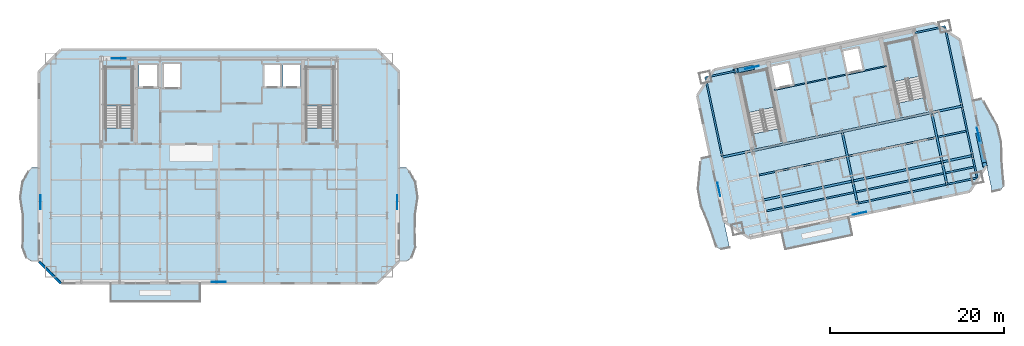
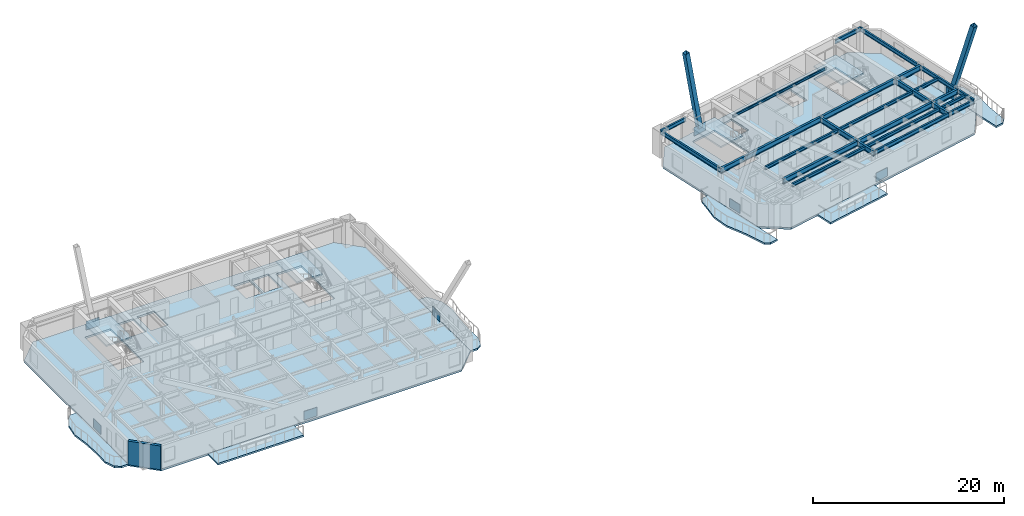
# One storey, part 4 of 13: 26 beams, 12 slabs, 8 plates, 2 members, 1 wall, 4 elements without a shape of their own.
"""IFC4 building model written with IfcOpenShell, lengths in metres."""

import ifcopenshell
import ifcopenshell.guid

model = None  # the IFC model being written
_history = None  # IfcOwnerHistory: only IFC2X3 demands one
_inside = {}  # id of a spatial element -> (the spatial element, [elements in it])
_under = {}  # id of a project, library or spatial element -> (it, [spatial elements below it])
_declared = {}  # id of a project -> (the project, [libraries it declares])
_typed = {}  # id of a type object -> (the type object, [elements of that type])
_made_of = {}  # id of a material, layer set ... -> (it, [elements and type objects made of it])


def new_model(schema):
    """Start an empty IFC model of exactly this schema.

    Asked for "IFC4X3", IfcOpenShell would pick the latest addendum, in which some entities
    have other attributes; the version numbers below select the first issue.
    IFC2X3 requires an IfcOwnerHistory on every rooted entity: one is made here for all.
    """
    global model, _history
    if schema == "IFC4X3":
        model = ifcopenshell.file(schema_version=(4, 3, 0, 0))
    else:
        model = ifcopenshell.file(schema=schema)
    _inside.clear()
    _under.clear()
    _declared.clear()
    _typed.clear()
    _made_of.clear()
    _history = None
    if model.schema == "IFC2X3":
        org = make("IfcOrganization", Name="unknown")
        user = make(
            "IfcPersonAndOrganization",
            ThePerson=make("IfcPerson", FamilyName="unknown"),
            TheOrganization=org,
        )
        app = make(
            "IfcApplication",
            ApplicationDeveloper=org,
            Version="unknown",
            ApplicationFullName="unknown",
            ApplicationIdentifier="unknown",
        )
        _history = make(
            "IfcOwnerHistory",
            OwningUser=user,
            OwningApplication=app,
            ChangeAction="ADDED",
            CreationDate=0,
        )
    return model


def make(cls, **values):
    """One entity of the class cls with the attributes given. An attribute that is None is left unset."""
    return model.create_entity(
        cls, **{name: value for name, value in values.items() if value is not None}
    )


def rooted(cls, **values):
    """An entity with a GlobalId (a new one), such as an element, a storey or a relation."""
    return make(cls, GlobalId=ifcopenshell.guid.new(), OwnerHistory=_history, **values)


def si_unit(unit_type, name, prefix=None):
    """IfcSIUnit, for example si_unit("LENGTHUNIT", "METRE", prefix="MILLI")."""
    return make("IfcSIUnit", UnitType=unit_type, Prefix=prefix, Name=name)


def assignment(units):
    """IfcUnitAssignment: the units of a project."""
    return None if units is None else make("IfcUnitAssignment", Units=units)


def point(xyz):
    """IfcCartesianPoint."""
    return None if xyz is None else make("IfcCartesianPoint", Coordinates=xyz)


def direction(xyz):
    """IfcDirection."""
    return None if xyz is None else make("IfcDirection", DirectionRatios=xyz)


def frame(location, z_axis=None, x_axis=None):
    """IfcAxis2Placement3D, a coordinate frame: its origin and axes. An axis left out is left unset."""
    return make(
        "IfcAxis2Placement3D",
        Location=point(location),
        Axis=direction(z_axis),
        RefDirection=direction(x_axis),
    )


def frame_2d(location, x_axis=None):
    """IfcAxis2Placement2D, a coordinate frame in the plane: its origin and x axis."""
    return make(
        "IfcAxis2Placement2D", Location=point(location), RefDirection=direction(x_axis)
    )


def origin():
    """The frame at (0, 0, 0) with its axes left unset."""
    return frame((0.0, 0.0, 0.0))


def origin_2d():
    """The frame at (0, 0) in the plane with its x axis left unset."""
    return frame_2d((0.0, 0.0))


def place(relative_to, where):
    """IfcLocalPlacement: puts the frame where relative to a parent placement (None: the world)."""
    return make(
        "IfcLocalPlacement", PlacementRelTo=relative_to, RelativePlacement=where
    )


def context(
    kind, dimensions, precision=None, world=None, true_north=None, identifier=None
):
    """IfcGeometricRepresentationContext, for example the 3D "Model" context."""
    return make(
        "IfcGeometricRepresentationContext",
        ContextIdentifier=identifier,
        ContextType=kind,
        CoordinateSpaceDimension=dimensions,
        Precision=precision,
        WorldCoordinateSystem=world,
        TrueNorth=true_north,
    )


def subcontext(parent, identifier, kind, view, scale=None):
    """IfcGeometricRepresentationSubContext, for example "Body" below "Model"."""
    return make(
        "IfcGeometricRepresentationSubContext",
        ContextIdentifier=identifier,
        ContextType=kind,
        ParentContext=parent,
        TargetScale=scale,
        TargetView=view,
    )


def project(units=None, contexts=None):
    """IfcProject with its units and contexts."""
    return rooted(
        "IfcProject",
        Name="project",
        RepresentationContexts=contexts,
        UnitsInContext=assignment(units),
    )


def spatial(cls, under=None, at=None, **own):
    """A site, building, storey or space (cls), placed at a placement, below another one or the project."""
    s = rooted(cls, ObjectPlacement=at, **own)
    if under is not None:
        _under.setdefault(under.id(), (under, []))[1].append(s)
    return s


def polyline(points):
    """IfcPolyline through the points."""
    return make("IfcPolyline", Points=[point(p) for p in points])


def profile(cls, at=None, kind="AREA", **sizes):
    """A parametric profile (cls). Its sizes go by their IFC names, for example OverallWidth=200.0."""
    return make(cls, ProfileType=kind, Position=at, **sizes)


def rectangle(**sizes):
    """IfcRectangleProfileDef."""
    return profile("IfcRectangleProfileDef", **sizes)


def hollow_rectangle(**sizes):
    """IfcRectangleHollowProfileDef."""
    return profile("IfcRectangleHollowProfileDef", **sizes)


def i_section(**sizes):
    """IfcIShapeProfileDef."""
    return profile("IfcIShapeProfileDef", **sizes)


def outline(outer, holes=None, kind="AREA"):
    """IfcArbitraryClosedProfileDef: a profile drawn as a closed curve; with holes, ...WithVoids."""
    if holes is None:
        return make("IfcArbitraryClosedProfileDef", ProfileType=kind, OuterCurve=outer)
    return make(
        "IfcArbitraryProfileDefWithVoids",
        ProfileType=kind,
        OuterCurve=outer,
        InnerCurves=holes,
    )


def extrude(swept, where, along, depth):
    """IfcExtrudedAreaSolid: the profile swept, set in the frame where, extruded along a direction by depth."""
    return make(
        "IfcExtrudedAreaSolid",
        SweptArea=swept,
        Position=where,
        ExtrudedDirection=direction(along),
        Depth=depth,
    )


def shape(context_of_items, identifier, shape_type, items):
    """IfcShapeRepresentation: the items that make up one representation, for example the "Body"."""
    return make(
        "IfcShapeRepresentation",
        ContextOfItems=context_of_items,
        RepresentationIdentifier=identifier,
        RepresentationType=shape_type,
        Items=items,
    )


def material(Name=None, Category=None):
    """IfcMaterial."""
    return make("IfcMaterial", Name=Name, Category=Category)


def layer(
    of_material, thickness, ventilated=None, Name=None, Category=None, Priority=None
):
    """IfcMaterialLayer: one layer of a wall or slab, of a material (None: an air gap)."""
    return make(
        "IfcMaterialLayer",
        Material=of_material,
        LayerThickness=thickness,
        IsVentilated=ventilated,
        Name=Name,
        Category=Category,
        Priority=Priority,
    )


def layer_set(layers, Name=None):
    """IfcMaterialLayerSet."""
    return make("IfcMaterialLayerSet", MaterialLayers=layers, LayerSetName=Name)


def material_profile(
    of_material, cross_section, Name=None, Category=None, Priority=None
):
    """IfcMaterialProfile: a cross section and its material."""
    return make(
        "IfcMaterialProfile",
        Name=Name,
        Material=of_material,
        Profile=cross_section,
        Priority=Priority,
        Category=Category,
    )


def profile_set(profiles, Name=None, composite=None):
    """IfcMaterialProfileSet."""
    return make(
        "IfcMaterialProfileSet",
        Name=Name,
        MaterialProfiles=profiles,
        CompositeProfile=composite,
    )


def made_of(thing, what):
    """Note that an element or type object is made of a material, layer set ...; save() writes the relation."""
    if what is not None:
        _made_of.setdefault(what.id(), (what, []))[1].append(thing)
    return thing


def type_object(cls, material=None, **own):
    """A type object (cls), such as IfcWallType, which elements share."""
    return made_of(rooted(cls, **own), material)


def element(
    cls,
    number,
    at=None,
    inside=None,
    cuts=None,
    type_object=None,
    material=None,
    context=None,
    identifier="Body",
    shape_type=None,
    held_by="IfcProductDefinitionShape",
    body=None,
    shapes=None,
    **own,
):
    """One element of the class cls, such as IfcWall. Its Tag is "e" and its number.

    at: its placement. inside: the storey or other place that contains it. cuts: it is an
    opening in that element (IfcRelVoidsElement). A single representation is given by context,
    identifier, shape_type and body (its items); several are given by shapes. held_by: the class
    of the entity that holds the representations. save() writes the other relations.
    """
    e = rooted(cls, Tag="e%d" % number, ObjectPlacement=at, **own)
    if body is not None:
        shapes = [shape(context, identifier, shape_type, body)]
    if shapes is not None:
        e.Representation = make(held_by, Representations=shapes)
    if inside is not None:
        _inside.setdefault(inside.id(), (inside, []))[1].append(e)
    if cuts is not None:
        rooted(
            "IfcRelVoidsElement", RelatingBuildingElement=cuts, RelatedOpeningElement=e
        )
    if type_object is not None:
        _typed.setdefault(type_object.id(), (type_object, []))[1].append(e)
    return made_of(e, material)


def aggregate(whole, parts):
    """IfcRelAggregates: a whole, such as a stair, and the parts it consists of."""
    return rooted("IfcRelAggregates", RelatingObject=whole, RelatedObjects=parts)


def save(model, path):
    """Write the relations noted so far, then the file.

    IfcRelAggregates (storeys below a building ...), IfcRelContainedInSpatialStructure (elements
    in a storey), IfcRelDefinesByType, IfcRelAssociatesMaterial and IfcRelDeclares: one each for
    every whole, place, type object, material and project.
    """
    for whole, parts in _under.values():
        aggregate(whole, parts)
    for where, things in _inside.values():
        rooted(
            "IfcRelContainedInSpatialStructure",
            RelatedElements=things,
            RelatingStructure=where,
        )
    for kind, things in _typed.values():
        rooted("IfcRelDefinesByType", RelatedObjects=things, RelatingType=kind)
    for what, things in _made_of.values():
        rooted("IfcRelAssociatesMaterial", RelatedObjects=things, RelatingMaterial=what)
    for by, libraries in _declared.values():
        rooted("IfcRelDeclares", RelatingContext=by, RelatedDefinitions=libraries)
    model.write(path)


model = new_model("IFC4")

# Units and contexts
model_context = context("Model", 3, precision=1e-05, world=origin(), true_north=direction((0.0, 1.0)))
body_context = subcontext(model_context, "Body", "Model", "MODEL_VIEW")
ifc_project = project(units=[si_unit("LENGTHUNIT", "METRE"), si_unit("AREAUNIT", "SQUARE_METRE"), si_unit("VOLUMEUNIT", "CUBIC_METRE"), si_unit("PLANEANGLEUNIT", "RADIAN"), si_unit("MASSUNIT", "GRAM", prefix="KILO")], contexts=[model_context])

# Site, building, storey
site_placement = place(None, origin())
site = spatial("IfcSite", under=ifc_project, at=site_placement, CompositionType="ELEMENT")
building_placement = place(site_placement, origin())
building = spatial("IfcBuilding", under=site, at=building_placement, Name="Haevon Station Towers", CompositionType="ELEMENT")
storey_placement = place(building_placement, frame((0.0, 0.0, 185.699951171875)))
storey = spatial("IfcBuildingStorey", under=building, at=storey_placement, Name="L51", CompositionType="ELEMENT", Elevation=185.699951171875)

# Beams
ifc_material_1 = material(Name="Steel S355", Category="steel")
ifc_material_profile_1 = material_profile(ifc_material_1, i_section(OverallWidth=0.25, OverallDepth=0.64990234375, WebThickness=0.012939453125, FlangeThickness=0.02197265625, at=origin_2d()), Name="H-650x250x13x22")
ifc_profile_set_1 = profile_set([ifc_material_profile_1], Name="Steel S355")
beam_type_1 = type_object("IfcBeamType", Name="BM-G650", PredefinedType="BEAM", material=ifc_profile_set_1)
for number, where, z_axis, x_axis, name in (
    (1, (99.958251953125, 31.76904296875, 2.72509765625), (0.978146794194, 0.207915485254, 0.0), (-0.207915485254, 0.978146794194, 0.0), "BM-T2U-L51-02-02"),
    (2, (110.228759765625, 33.9521484375, 2.72509765625), (0.978146794194, 0.207915485254, 0.0), (-0.207915485254, 0.978146794194, 0.0), "BM-T2U-L51-02-03"),
):
    element("IfcBeam", number, at=place(storey_placement, frame(where, z_axis=z_axis, x_axis=x_axis)), inside=storey, type_object=beam_type_1, Name=name, PredefinedType="BEAM", context=body_context, shape_type="SweptSolid", body=[
        extrude(i_section(OverallWidth=0.25, OverallDepth=0.64990234375, WebThickness=0.012939453125, FlangeThickness=0.02197265625, at=origin_2d()), origin(), (0.0, 0.0, 1.0), 10.5),
    ])
for number, where, z_axis, x_axis, name in (
    (3, (120.499267578125, 36.13525390625, 2.72509765625), (0.978150285663, 0.207899058817, 0.0), (-0.207899058817, 0.978150285663, 0.0), "BM-T2U-L51-02-04"),
    (4, (95.280029296875, 36.704345703125, 2.72509765625), (0.978150285663, 0.207899058817, 0.0), (-0.207899058817, 0.978150285663, 0.0), "BM-T2U-L51-03-01"),
):
    element("IfcBeam", number, at=place(storey_placement, frame(where, z_axis=z_axis, x_axis=x_axis)), inside=storey, type_object=beam_type_1, Name=name, PredefinedType="BEAM", context=body_context, shape_type="SweptSolid", body=[
        extrude(i_section(OverallWidth=0.25, OverallDepth=0.64990234375, WebThickness=0.012939453125, FlangeThickness=0.02197265625, at=origin_2d()), origin(), (0.0, 0.0, 1.0), 3.550048828125),
    ])
for number, where, z_axis, x_axis, name in (
    (5, (98.75244140625, 37.4423828125, 2.72509765625), (0.978146794194, 0.207915485254, 0.0), (-0.207915485254, 0.978146794194, 0.0), "BM-T2U-L51-03-02"),
    (6, (109.02294921875, 39.62548828125, 2.72509765625), (0.978146794194, 0.207915485254, 0.0), (-0.207915485254, 0.978146794194, 0.0), "BM-T2U-L51-03-03"),
):
    element("IfcBeam", number, at=place(storey_placement, frame(where, z_axis=z_axis, x_axis=x_axis)), inside=storey, type_object=beam_type_1, Name=name, PredefinedType="BEAM", context=body_context, shape_type="SweptSolid", body=[
        extrude(i_section(OverallWidth=0.25, OverallDepth=0.64990234375, WebThickness=0.012939453125, FlangeThickness=0.02197265625, at=origin_2d()), origin(), (0.0, 0.0, 1.0), 10.5),
    ])
beam_1_placement = place(storey_placement, frame((119.29345703125, 41.80859375, 2.72509765625), z_axis=(0.978150285663, 0.207899058817, 0.0), x_axis=(-0.207899058817, 0.978150285663, 0.0)))
element("IfcBeam", 7, at=beam_1_placement, inside=storey, type_object=beam_type_1, Name="BM-T2U-L51-03-04", PredefinedType="BEAM", context=body_context, shape_type="SweptSolid", body=[
    extrude(i_section(OverallWidth=0.25, OverallDepth=0.64990234375, WebThickness=0.012939453125, FlangeThickness=0.02197265625, at=origin_2d()), origin(), (0.0, 0.0, 1.0), 3.550048828125),
])
beam_2_placement = place(storey_placement, frame((110.7734375, 31.389404296875, 2.72509765625), z_axis=(-0.207893304367, 0.978151508714, 0.0), x_axis=(-0.978151508714, -0.207893304367, 0.0)))
element("IfcBeam", 8, at=beam_2_placement, inside=storey, type_object=beam_type_1, Name="BM-T2V-L51-03-01", PredefinedType="BEAM", context=body_context, shape_type="SweptSolid", body=[
    extrude(i_section(OverallWidth=0.25, OverallDepth=0.64990234375, WebThickness=0.012939453125, FlangeThickness=0.02197265625, at=origin_2d()), origin(), (0.0, 0.0, 1.0), 2.619873046875),
])
beam_3_placement = place(storey_placement, frame((110.228759765625, 33.9521484375, 2.72509765625), z_axis=(-0.207896009217, 0.97815093383, 0.0), x_axis=(-0.97815093383, -0.207896009217, 0.0)))
element("IfcBeam", 9, at=beam_3_placement, inside=storey, type_object=beam_type_1, Name="BM-T2V-L51-03-02", PredefinedType="BEAM", context=body_context, shape_type="SweptSolid", body=[
    extrude(i_section(OverallWidth=0.25, OverallDepth=0.64990234375, WebThickness=0.012939453125, FlangeThickness=0.02197265625, at=origin_2d()), origin(), (0.0, 0.0, 1.0), 5.800048828125),
])
beam_4_placement = place(storey_placement, frame((121.0439453125, 33.572509765625, 2.72509765625), z_axis=(-0.207893304367, 0.978151508714, 0.0), x_axis=(-0.978151508714, -0.207893304367, 0.0)))
element("IfcBeam", 10, at=beam_4_placement, inside=storey, type_object=beam_type_1, Name="BM-T2V-L51-04-01", PredefinedType="BEAM", context=body_context, shape_type="SweptSolid", body=[
    extrude(i_section(OverallWidth=0.25, OverallDepth=0.64990234375, WebThickness=0.012939453125, FlangeThickness=0.02197265625, at=origin_2d()), origin(), (0.0, 0.0, 1.0), 2.619873046875),
])
beam_5_placement = place(storey_placement, frame((120.499267578125, 36.13525390625, 2.72509765625), z_axis=(-0.207896009217, 0.97815093383, 0.0), x_axis=(-0.97815093383, -0.207896009217, 0.0)))
element("IfcBeam", 11, at=beam_5_placement, inside=storey, type_object=beam_type_1, Name="BM-T2V-L51-04-02", PredefinedType="BEAM", context=body_context, shape_type="SweptSolid", body=[
    extrude(i_section(OverallWidth=0.25, OverallDepth=0.64990234375, WebThickness=0.012939453125, FlangeThickness=0.02197265625, at=origin_2d()), origin(), (0.0, 0.0, 1.0), 5.800048828125),
])
ifc_material_profile_2 = material_profile(ifc_material_1, i_section(OverallWidth=0.199951171875, OverallDepth=0.39990234375, WebThickness=0.008056640625, FlangeThickness=0.012939453125, at=origin_2d()), Name="H-400x200x8x13")
ifc_profile_set_2 = profile_set([ifc_material_profile_2], Name="Steel S355")
beam_type_2 = type_object("IfcBeamType", Name="BM-J400", PredefinedType="JOIST", material=ifc_profile_set_2)
for number, where, z_axis, x_axis, name in (
    (12, (100.338134765625, 30.5107421875, 2.85009765625), (0.978150339653, 0.207898804801, 0.0), (-0.207898804801, 0.978150339653, 0.0), "BM-T2J-L51-01-02"),
    (13, (110.608642578125, 32.693603515625, 2.85009765625), (0.978145509903, 0.207921527161, 0.0), (-0.207921527161, 0.978145509903, 0.0), "BM-T2J-L51-01-03"),
):
    element("IfcBeam", number, at=place(storey_placement, frame(where, z_axis=z_axis, x_axis=x_axis)), inside=storey, type_object=beam_type_2, Name=name, PredefinedType="JOIST", context=body_context, shape_type="SweptSolid", body=[
        extrude(i_section(OverallWidth=0.199951171875, OverallDepth=0.39990234375, WebThickness=0.008056640625, FlangeThickness=0.012939453125, at=origin_2d()), origin(), (0.0, 0.0, 1.0), 10.280029296875),
    ])
beam_6_placement = place(storey_placement, frame((120.87939453125, 34.876708984375, 2.85009765625), z_axis=(0.978143382141, 0.207931536748, 0.0), x_axis=(-0.207931536748, 0.978143382141, 0.0)))
element("IfcBeam", 14, at=beam_6_placement, inside=storey, type_object=beam_type_2, Name="BM-T2J-L51-01-04", PredefinedType="JOIST", context=body_context, shape_type="SweptSolid", body=[
    extrude(i_section(OverallWidth=0.199951171875, OverallDepth=0.39990234375, WebThickness=0.008056640625, FlangeThickness=0.012939453125, at=origin_2d()), origin(), (0.0, 0.0, 1.0), 3.329833984375),
])
for number, where, z_axis, x_axis, name in (
    (15, (99.462890625, 34.628662109375, 2.85009765625), (0.978150339653, 0.207898804801, 0.0), (-0.207898804801, 0.978150339653, 0.0), "BM-T2J-L51-02-02"),
    (16, (109.7333984375, 36.811767578125, 2.85009765625), (0.978150339653, 0.207898804801, 0.0), (-0.207898804801, 0.978150339653, 0.0), "BM-T2J-L51-02-03"),
):
    element("IfcBeam", number, at=place(storey_placement, frame(where, z_axis=z_axis, x_axis=x_axis)), inside=storey, type_object=beam_type_2, Name=name, PredefinedType="JOIST", context=body_context, shape_type="SweptSolid", body=[
        extrude(i_section(OverallWidth=0.199951171875, OverallDepth=0.39990234375, WebThickness=0.008056640625, FlangeThickness=0.012939453125, at=origin_2d()), origin(), (0.0, 0.0, 1.0), 10.280029296875),
    ])
beam_7_placement = place(storey_placement, frame((120.00390625, 38.994873046875, 2.85009765625), z_axis=(0.978146551768, 0.207916625754, 0.0), x_axis=(-0.207916625754, 0.978146551768, 0.0)))
element("IfcBeam", 17, at=beam_7_placement, inside=storey, type_object=beam_type_2, Name="BM-T2J-L51-02-04", PredefinedType="JOIST", context=body_context, shape_type="SweptSolid", body=[
    extrude(i_section(OverallWidth=0.199951171875, OverallDepth=0.39990234375, WebThickness=0.008056640625, FlangeThickness=0.012939453125, at=origin_2d()), origin(), (0.0, 0.0, 1.0), 3.330078125),
])
ifc_material_profile_3 = material_profile(ifc_material_1, i_section(OverallWidth=0.14990234375, OverallDepth=0.300048828125, WebThickness=0.006591796875, FlangeThickness=0.009033203125, at=origin_2d()), Name="H-300x150x6.5x9")
ifc_profile_set_3 = profile_set([ifc_material_profile_3], Name="Steel S355")
beam_type_3 = type_object("IfcBeamType", Name="BM-LIN300", PredefinedType="LINTEL", material=ifc_profile_set_3)
beam_8_placement = place(storey_placement, frame((101.20849609375, 44.4052734375, 2.900146484375), z_axis=(0.978147802964, 0.207910739399, 0.0), x_axis=(-0.207910739399, 0.978147802964, 0.0)))
element("IfcBeam", 18, at=beam_8_placement, inside=storey, type_object=beam_type_3, Name="BM-T2LIN-L51", PredefinedType="LINTEL", context=body_context, shape_type="SweptSolid", body=[
    extrude(i_section(OverallWidth=0.14990234375, OverallDepth=0.300048828125, WebThickness=0.006591796875, FlangeThickness=0.009033203125, at=origin_2d()), origin(), (0.0, 0.0, 1.0), 13.19970703125),
])
ifc_material_profile_4 = material_profile(ifc_material_1, i_section(OverallWidth=0.199951171875, OverallDepth=0.5, WebThickness=0.010009765625, FlangeThickness=0.01611328125, at=origin_2d()), Name="H-500x200x10x16")
ifc_profile_set_4 = profile_set([ifc_material_profile_4], Name="Steel S355")
beam_type_4 = type_object("IfcBeamType", Name="BM-SP500", PredefinedType="SPANDREL", material=ifc_profile_set_4)
beam_9_placement = place(storey_placement, frame((110.7734375, 31.389404296875, 2.800048828125), z_axis=(0.978146794194, 0.207915485254, 0.0), x_axis=(-0.207915485254, 0.978146794194, 0.0)))
element("IfcBeam", 19, at=beam_9_placement, inside=storey, type_object=beam_type_4, Name="BM-T2U-L51-01-03", PredefinedType="SPANDREL", context=body_context, shape_type="SweptSolid", body=[
    extrude(i_section(OverallWidth=0.199951171875, OverallDepth=0.5, WebThickness=0.010009765625, FlangeThickness=0.01611328125, at=origin_2d()), origin(), (0.0, 0.0, 1.0), 10.5),
])
beam_10_placement = place(storey_placement, frame((121.0439453125, 33.572509765625, 2.800048828125), z_axis=(0.978153257847, 0.207885074414, 0.0), x_axis=(-0.207885074414, 0.978153257847, 0.0)))
element("IfcBeam", 20, at=beam_10_placement, inside=storey, type_object=beam_type_4, Name="BM-T2U-L51-01-04", PredefinedType="SPANDREL", context=body_context, shape_type="SweptSolid", body=[
    extrude(i_section(OverallWidth=0.199951171875, OverallDepth=0.5, WebThickness=0.010009765625, FlangeThickness=0.01611328125, at=origin_2d()), origin(), (0.0, 0.0, 1.0), 3.55029296875),
])
beam_11_placement = place(storey_placement, frame((93.3359375, 45.85009765625, 2.800048828125), z_axis=(0.978150285663, 0.207899058817, 0.0), x_axis=(-0.207899058817, 0.978150285663, 0.0)))
element("IfcBeam", 21, at=beam_11_placement, inside=storey, type_object=beam_type_4, Name="BM-T2U-L51-04-01", PredefinedType="SPANDREL", context=body_context, shape_type="SweptSolid", body=[
    extrude(i_section(OverallWidth=0.199951171875, OverallDepth=0.5, WebThickness=0.010009765625, FlangeThickness=0.01611328125, at=origin_2d()), origin(), (0.0, 0.0, 1.0), 3.550048828125),
])
beam_12_placement = place(storey_placement, frame((117.349365234375, 50.954345703125, 2.800048828125), z_axis=(0.978153257847, 0.207885074414, 0.0), x_axis=(-0.207885074414, 0.978153257847, 0.0)))
element("IfcBeam", 22, at=beam_12_placement, inside=storey, type_object=beam_type_4, Name="BM-T2U-L51-04-04", PredefinedType="SPANDREL", context=body_context, shape_type="SweptSolid", body=[
    extrude(i_section(OverallWidth=0.199951171875, OverallDepth=0.5, WebThickness=0.010009765625, FlangeThickness=0.01611328125, at=origin_2d()), origin(), (0.0, 0.0, 1.0), 3.55029296875),
])
beam_13_placement = place(storey_placement, frame((95.280029296875, 36.704345703125, 2.800048828125), z_axis=(-0.207922149488, 0.978145377616, 0.0), x_axis=(-0.978145377616, -0.207922149488, 0.0)))
element("IfcBeam", 23, at=beam_13_placement, inside=storey, type_object=beam_type_4, Name="BM-T2V-L51-01-03", PredefinedType="SPANDREL", context=body_context, shape_type="SweptSolid", body=[
    extrude(i_section(OverallWidth=0.199951171875, OverallDepth=0.5, WebThickness=0.010009765625, FlangeThickness=0.01611328125, at=origin_2d()), origin(), (0.0, 0.0, 1.0), 9.35009765625),
])
beam_14_placement = place(storey_placement, frame((124.5166015625, 34.310546875, 2.800048828125), z_axis=(-0.207982458313, 0.978132555963, 0.0), x_axis=(-0.978132555963, -0.207982458313, 0.0)))
element("IfcBeam", 24, at=beam_14_placement, inside=storey, type_object=beam_type_4, Name="BM-T2V-L51-05-01", PredefinedType="SPANDREL", context=body_context, shape_type="SweptSolid", body=[
    extrude(i_section(OverallWidth=0.199951171875, OverallDepth=0.5, WebThickness=0.010009765625, FlangeThickness=0.01611328125, at=origin_2d()), origin(), (0.0, 0.0, 1.0), 2.6201171875),
])
beam_15_placement = place(storey_placement, frame((123.9716796875, 36.873291015625, 2.800048828125), z_axis=(-0.207896009217, 0.97815093383, 0.0), x_axis=(-0.97815093383, -0.207896009217, 0.0)))
element("IfcBeam", 25, at=beam_15_placement, inside=storey, type_object=beam_type_4, Name="BM-T2V-L51-05-02", PredefinedType="SPANDREL", context=body_context, shape_type="SweptSolid", body=[
    extrude(i_section(OverallWidth=0.199951171875, OverallDepth=0.5, WebThickness=0.010009765625, FlangeThickness=0.01611328125, at=origin_2d()), origin(), (0.0, 0.0, 1.0), 5.800048828125),
])
beam_16_placement = place(storey_placement, frame((122.765869140625, 42.546630859375, 2.800048828125), z_axis=(-0.207897167074, 0.978150687738, 0.0), x_axis=(-0.978150687738, -0.207897167074, 0.0)))
element("IfcBeam", 26, at=beam_16_placement, inside=storey, type_object=beam_type_4, Name="BM-T2V-L51-05-03", PredefinedType="SPANDREL", context=body_context, shape_type="SweptSolid", body=[
    extrude(i_section(OverallWidth=0.199951171875, OverallDepth=0.5, WebThickness=0.010009765625, FlangeThickness=0.01611328125, at=origin_2d()), origin(), (0.0, 0.0, 1.0), 9.35009765625),
])

# Members
ifc_material_2 = material(Name="Steel S460", Category="steel")
ifc_material_profile_5 = material_profile(ifc_material_2, hollow_rectangle(XDim=0.550048828125, YDim=0.550048828125, WallThickness=0.028076171875, at=origin_2d()), Name="RHS-550x550x28")
ifc_profile_set_5 = profile_set([ifc_material_profile_5], Name="Steel S460")
member_type = type_object("IfcMemberType", Name="MB-550", PredefinedType="BRACE", material=ifc_profile_set_5)
member_1_placement = place(storey_placement, frame((98.641357421875, 46.977783203125, 0.8974609375), z_axis=(-0.174227370897, -0.037036079375, 0.984008715436), x_axis=(0.207927313623, -0.978144279874, 0.0)))
element("IfcMember", 27, at=member_1_placement, inside=storey, type_object=member_type, Name="BR-T2MB-T07-N-D2B", PredefinedType="BRACE", context=body_context, shape_type="SweptSolid", body=[
    extrude(hollow_rectangle(XDim=0.550048828125, YDim=0.550048828125, WallThickness=0.028076171875, at=origin_2d()), origin(), (0.0, 0.0, 1.0), 10.520751953125),
])
member_2_placement = place(storey_placement, frame((124.66943359375, 39.218505859375, 0.88720703125), z_axis=(0.065995011652, -0.310493795511, 0.948281741565), x_axis=(0.978149190815, 0.207904209934, 0.0)))
element("IfcMember", 28, at=member_2_placement, inside=storey, type_object=member_type, Name="BR-T2MB-T07-E-D2B", PredefinedType="BRACE", context=body_context, shape_type="SweptSolid", body=[
    extrude(hollow_rectangle(XDim=0.550048828125, YDim=0.550048828125, WallThickness=0.028076171875, at=origin_2d()), origin(), (0.0, 0.0, 1.0), 10.927978515625),
])

# Plates
ifc_material_3 = material(Name="PL-GUS1", Category="steel")
ifc_layer_1 = layer(ifc_material_3, 0.035888671875)
ifc_layer_set_1 = layer_set([ifc_layer_1], Name="PL-GUS1")
plate_type = type_object("IfcPlateType", Name="PL-GUS1", PredefinedType="USERDEFINED", material=ifc_layer_set_1)
for number, where, z_axis, x_axis, name in (
    (29, (37.5, 22.3798828125, 0.06494140625), (0.0, 0.0, 1.0), (1.0, 0.0, 0.0), "PL-T1GUS-T07-S"),
    (30, (25.97509765625, 48.0, 0.06494140625), (0.0, 0.0, 1.0), (1.0, 0.0, 0.0), "PL-T1GUS-T07-N"),
    (31, (17.030029296875, 31.52490234375, 0.06494140625), (0.0, 0.0, 1.0), (0.0, 1.0, 0.0), "PL-T1GUS-T07-W"),
    (32, (57.969970703125, 31.52490234375, 0.06494140625), (0.0, 0.0, 1.0), (0.0, 1.0, 0.0), "PL-T1GUS-T07-E"),
    (33, (111.016845703125, 30.2451171875, 0.06494140625), (0.0, 0.0, 1.0), (0.978147600734, 0.207911690818, 0.0), "PL-T2GUS-T07-S"),
    (34, (98.69140625, 46.98828125, 0.06494140625), (0.0, 0.0, 1.0), (0.978147600734, 0.207911690818, 0.0), "PL-T2GUS-T07-N"),
    (35, (94.875732421875, 32.978759765625, 0.06494140625), (0.0, 0.0, 1.0), (-0.207911690818, 0.978147600734, 0.0), "PL-T2GUS-T07-W"),
    (36, (124.650390625, 39.3076171875, 0.06494140625), (0.0, 0.0, 1.0), (-0.207911690818, 0.978147600734, 0.0), "PL-T2GUS-T07-E"),
):
    element("IfcPlate", number, at=place(storey_placement, frame(where, z_axis=z_axis, x_axis=x_axis)), inside=storey, type_object=plate_type, Name=name, ObjectType="GUSSET_PLATE", PredefinedType="USERDEFINED", context=body_context, shape_type="SweptSolid", body=[
        extrude(rectangle(XDim=1.60009765625, YDim=0.035888671875, at=origin_2d()), origin(), (0.0, 0.0, 1.0), 1.10009765625),
    ])

# Slabs
ifc_material_4 = material(Name="Concrete C40/50", Category="concrete")
ifc_layer_2 = layer(ifc_material_4, 0.219970703125)
ifc_layer_set_2 = layer_set([ifc_layer_2], Name="Concrete C40/50")
slab_type_1 = type_object("IfcSlabType", Name="SL-BALC220", PredefinedType="FLOOR", material=ifc_layer_set_2)
slab_1_placement = place(storey_placement, frame((0.0, 0.0, -0.219970703125)))
element("IfcSlab", 37, at=slab_1_placement, inside=storey, type_object=slab_type_1, Name="Tower 1 L51 West SCALLOPED BALCONY", PredefinedType="FLOOR", context=body_context, shape_type="SweptSolid", body=[
    extrude(outline(polyline([(16.844970703125, 35.5), (15.9951171875, 35.5), (15.612060546875, 35.0888671875), (14.952880859375, 33.91845703125), (14.666259765625, 32.16650390625), (14.92431640625, 30.10009765625), (15.00927734375, 28.033447265625), (14.952880859375, 26.28173828125), (15.381591796875, 25.111083984375), (15.9951171875, 24.699951171875), (16.844970703125, 24.699951171875), (16.844970703125, 35.5)])), origin(), (0.0, 0.0, 1.0), 0.219970703125),
])
slab_2_placement = place(storey_placement, frame((0.0, 0.0, -0.219970703125)))
element("IfcSlab", 38, at=slab_2_placement, inside=storey, type_object=slab_type_1, Name="Tower 1 L51 East SCALLOPED BALCONY", PredefinedType="FLOOR", context=body_context, shape_type="SweptSolid", body=[
    extrude(outline(polyline([(58.155029296875, 24.699951171875), (59.0048828125, 24.699951171875), (59.618408203125, 25.111083984375), (60.047119140625, 26.28173828125), (59.99072265625, 28.033447265625), (60.07568359375, 30.10009765625), (60.333740234375, 32.16650390625), (60.047119140625, 33.91845703125), (59.387939453125, 35.0888671875), (59.0048828125, 35.5), (58.155029296875, 35.5), (58.155029296875, 24.699951171875)])), origin(), (0.0, 0.0, 1.0), 0.219970703125),
])
slab_3_placement = place(storey_placement, frame((0.0, 0.0, -0.219970703125)))
element("IfcSlab", 39, at=slab_3_placement, inside=storey, type_object=slab_type_1, Name="Tower 1 L51 Planted Balcony Band", PredefinedType="FLOOR", context=body_context, shape_type="SweptSolid", body=[
    extrude(outline(polyline([(25.0, 20.10009765625), (35.39990234375, 20.10009765625), (35.39990234375, 22.195068359375), (25.0, 22.195068359375), (25.0, 20.10009765625)])), origin(), (0.0, 0.0, 1.0), 0.219970703125),
])
slab_4_placement = place(storey_placement, frame((0.0, 0.0, -0.219970703125)))
element("IfcSlab", 40, at=slab_4_placement, inside=storey, type_object=slab_type_1, Name="Tower 2 L51 West SCALLOPED BALCONY", PredefinedType="FLOOR", context=body_context, shape_type="SweptSolid", body=[
    extrude(outline(polyline([(93.8681640625, 36.82861328125), (92.931884765625, 36.62939453125), (92.747802734375, 36.170166015625), (92.6376953125, 34.949951171875), (92.43017578125, 33.114990234375), (92.761474609375, 31.072509765625), (93.625, 29.1435546875), (94.225341796875, 27.480224609375), (94.596923828125, 26.3623046875), (95.17724609375, 26.0654296875), (96.11376953125, 26.2646484375), (93.8681640625, 36.82861328125)])), origin(), (0.0, 0.0, 1.0), 0.219970703125),
])
slab_5_placement = place(storey_placement, frame((0.0, 0.0, -0.219970703125)))
element("IfcSlab", 41, at=slab_5_placement, inside=storey, type_object=slab_type_1, Name="Tower 2 L51 East SCALLOPED BALCONY", PredefinedType="FLOOR", context=body_context, shape_type="SweptSolid", body=[
    extrude(outline(polyline([(126.25048828125, 32.67041015625), (127.186767578125, 32.869384765625), (127.59619140625, 33.376708984375), (127.48095703125, 34.548828125), (127.35302734375, 36.312744140625), (127.357421875, 38.42626953125), (126.829345703125, 40.426513671875), (125.893310546875, 42.018798828125), (125.29638671875, 43.088623046875), (124.94140625, 43.433349609375), (124.0048828125, 43.234375), (126.25048828125, 32.67041015625)])), origin(), (0.0, 0.0, 1.0), 0.219970703125),
])
slab_6_placement = place(storey_placement, frame((0.0, 0.0, -0.219970703125)))
element("IfcSlab", 42, at=slab_6_placement, inside=storey, type_object=slab_type_1, Name="Tower 2 L51 Planted Balcony Band", PredefinedType="FLOOR", context=body_context, shape_type="SweptSolid", body=[
    extrude(outline(polyline([(102.44287109375, 26.091796875), (110.26806640625, 27.7548828125), (109.83251953125, 29.80419921875), (102.00732421875, 28.140869140625), (102.44287109375, 26.091796875)])), origin(), (0.0, 0.0, 1.0), 0.219970703125),
])

# Stair, slab
stair_type = type_object("IfcStairType", Name="STR-DL1450", PredefinedType="USERDEFINED", material=ifc_material_4)
stair_1_placement = place(storey_placement, origin())
stair_1 = element("IfcStair", 43, at=stair_1_placement, inside=storey, type_object=stair_type, Name="L51 Escape Stair ST1", ObjectType="TWO_RETURN_STAIR", PredefinedType="USERDEFINED")
ifc_layer_3 = layer(ifc_material_4, 0.199951171875)
ifc_layer_set_3 = layer_set([ifc_layer_3], Name="Concrete C40/50")
slab_type_2 = type_object("IfcSlabType", Name="SL-LND200", PredefinedType="LANDING", material=ifc_layer_set_3)
slab_7_placement = place(storey_placement, frame((0.0, 0.0, 1.449951171875)))
slab_7 = element("IfcSlab", 44, at=slab_7_placement, type_object=slab_type_2, Name="L51 ST1 Half Landing 1", PredefinedType="LANDING", context=body_context, shape_type="SweptSolid", body=[
    extrude(outline(polyline([(27.580078125, 42.56396484375), (27.580078125, 47.0), (24.47998046875, 47.0), (24.47998046875, 42.56396484375), (27.580078125, 42.56396484375)])), origin(), (0.0, 0.0, 1.0), 0.2001953125),
])
aggregate(stair_1, [slab_7])

stair_2_placement = place(storey_placement, origin())
stair_2 = element("IfcStair", 45, at=stair_2_placement, inside=storey, type_object=stair_type, Name="L51 Escape Stair ST2", ObjectType="TWO_RETURN_STAIR", PredefinedType="USERDEFINED")
slab_8_placement = place(storey_placement, frame((0.0, 0.0, 1.449951171875)))
slab_8 = element("IfcSlab", 46, at=slab_8_placement, type_object=slab_type_2, Name="L51 ST2 Half Landing 1", PredefinedType="LANDING", context=body_context, shape_type="SweptSolid", body=[
    extrude(outline(polyline([(50.6201171875, 42.56396484375), (50.6201171875, 47.0), (47.52001953125, 47.0), (47.52001953125, 42.56396484375), (50.6201171875, 42.56396484375)])), origin(), (0.0, 0.0, 1.0), 0.2001953125),
])
aggregate(stair_2, [slab_8])

stair_3_placement = place(storey_placement, origin())
stair_3 = element("IfcStair", 47, at=stair_3_placement, inside=storey, type_object=stair_type, Name="L51 Escape Stair ST3", ObjectType="TWO_RETURN_STAIR", PredefinedType="USERDEFINED")
slab_9_placement = place(storey_placement, frame((0.0, 0.0, 1.449951171875)))
slab_9 = element("IfcSlab", 48, at=slab_9_placement, type_object=slab_type_2, Name="L51 ST3 Half Landing 1", PredefinedType="LANDING", context=body_context, shape_type="SweptSolid", body=[
    extrude(outline(polyline([(101.2880859375, 42.44287109375), (100.36572265625, 46.781982421875), (97.33349609375, 46.137451171875), (98.255859375, 41.79833984375), (101.2880859375, 42.44287109375)])), origin(), (0.0, 0.0, 1.0), 0.2001953125),
])
aggregate(stair_3, [slab_9])

stair_4_placement = place(storey_placement, origin())
stair_4 = element("IfcStair", 49, at=stair_4_placement, inside=storey, type_object=stair_type, Name="L51 Escape Stair ST4", ObjectType="TWO_RETURN_STAIR", PredefinedType="USERDEFINED")
slab_10_placement = place(storey_placement, frame((0.0, 0.0, 1.449951171875)))
slab_10 = element("IfcSlab", 50, at=slab_10_placement, type_object=slab_type_2, Name="L51 ST4 Half Landing 1", PredefinedType="LANDING", context=body_context, shape_type="SweptSolid", body=[
    extrude(outline(polyline([(117.975341796875, 45.989990234375), (117.052978515625, 50.328857421875), (114.020751953125, 49.684326171875), (114.943115234375, 45.345458984375), (117.975341796875, 45.989990234375)])), origin(), (0.0, 0.0, 1.0), 0.2001953125),
])
aggregate(stair_4, [slab_10])

# Slabs
ifc_layer_4 = layer(ifc_material_4, 0.25)
ifc_layer_set_4 = layer_set([ifc_layer_4], Name="Concrete C40/50")
slab_type_3 = type_object("IfcSlabType", Name="SL-TW250", PredefinedType="FLOOR", material=ifc_layer_set_4)
slab_11_placement = place(storey_placement, frame((0.0, 0.0, -0.25)))
element("IfcSlab", 51, at=slab_11_placement, inside=storey, type_object=slab_type_3, Name="SL-T1-L51", PredefinedType="FLOOR", context=body_context, shape_type="SweptSolid", body=[
    extrude(outline(polyline([(19.35009765625, 22.199951171875), (55.64990234375, 22.199951171875), (58.14990234375, 24.699951171875), (58.14990234375, 46.5), (55.64990234375, 49.0), (19.35009765625, 49.0), (16.85009765625, 46.5), (16.85009765625, 24.699951171875), (19.35009765625, 22.199951171875)]), holes=[polyline([(27.580078125, 40.055908203125), (27.580078125, 47.0), (24.47998046875, 47.0), (24.47998046875, 40.055908203125), (27.580078125, 40.055908203125)]), polyline([(50.6201171875, 40.055908203125), (50.6201171875, 47.0), (47.52001953125, 47.0), (47.52001953125, 40.055908203125), (50.6201171875, 40.055908203125)]), polyline([(28.300048828125, 44.699951171875), (30.5, 44.699951171875), (30.5, 47.39990234375), (28.300048828125, 47.39990234375), (28.300048828125, 44.699951171875)]), polyline([(31.050048828125, 44.60009765625), (33.14990234375, 44.60009765625), (33.14990234375, 47.5), (31.050048828125, 47.5), (31.050048828125, 44.60009765625)]), polyline([(42.60009765625, 44.699951171875), (44.60009765625, 44.699951171875), (44.60009765625, 47.39990234375), (42.60009765625, 47.39990234375), (42.60009765625, 44.699951171875)]), polyline([(44.85009765625, 44.699951171875), (46.85009765625, 44.699951171875), (46.85009765625, 47.39990234375), (44.85009765625, 47.39990234375), (44.85009765625, 44.699951171875)])]), origin(), (0.0, 0.0, 1.0), 0.25),
])
slab_12_placement = place(storey_placement, frame((0.0, 0.0, -0.25)))
element("IfcSlab", 52, at=slab_12_placement, inside=storey, type_object=slab_type_3, Name="SL-T2-L51", PredefinedType="FLOOR", context=body_context, shape_type="SweptSolid", body=[
    extrude(outline(polyline([(98.43603515625, 27.386962890625), (123.67236328125, 32.7509765625), (125.597900390625, 35.71630859375), (122.527099609375, 50.163330078125), (119.561767578125, 52.089111328125), (94.32568359375, 46.724853515625), (92.400146484375, 43.759765625), (95.470947265625, 29.3125), (98.43603515625, 27.386962890625)]), holes=[polyline([(101.8095703125, 39.98974609375), (100.36572265625, 46.781982421875), (97.33349609375, 46.137451171875), (98.77734375, 39.34521484375), (101.8095703125, 39.98974609375)]), polyline([(118.496826171875, 43.53662109375), (117.052978515625, 50.328857421875), (114.020751953125, 49.684326171875), (115.464599609375, 42.89208984375), (118.496826171875, 43.53662109375)]), polyline([(101.43212890625, 44.554931640625), (103.486328125, 44.99169921875), (102.9248046875, 47.632568359375), (100.870849609375, 47.196044921875), (101.43212890625, 44.554931640625)]), polyline([(109.55078125, 46.28076171875), (111.507080078125, 46.696533203125), (110.94580078125, 49.33740234375), (108.989501953125, 48.921630859375), (109.55078125, 46.28076171875)])]), origin(), (0.0, 0.0, 1.0), 0.25),
])

# Wall
ifc_material_5 = material(Name="Precast concrete C45/55", Category="concrete")
ifc_layer_5 = layer(ifc_material_5, 0.300048828125)
ifc_layer_set_5 = layer_set([ifc_layer_5], Name="Precast concrete C45/55")
wall_type = type_object("IfcWallType", Name="WL-EXT-PIER300", PredefinedType="SOLIDWALL", material=ifc_layer_set_5)
wall_placement = place(storey_placement, frame((19.35009765625, 22.199951171875, 0.0), z_axis=(0.0, 0.0, 1.0), x_axis=(-0.707106781187, 0.707106781187, 0.0)))
element("IfcWall", 53, at=wall_placement, inside=storey, type_object=wall_type, Name="WL-T1-L51-SWC", PredefinedType="SOLIDWALL", context=body_context, shape_type="SweptSolid", body=[
    extrude(rectangle(XDim=3.53564453125, YDim=0.300048828125, at=frame_2d((1.767822265625, 0.0))), origin(), (0.0, 0.0, 1.0), 3.030029296875),
])

save(model, "model.ifc")
